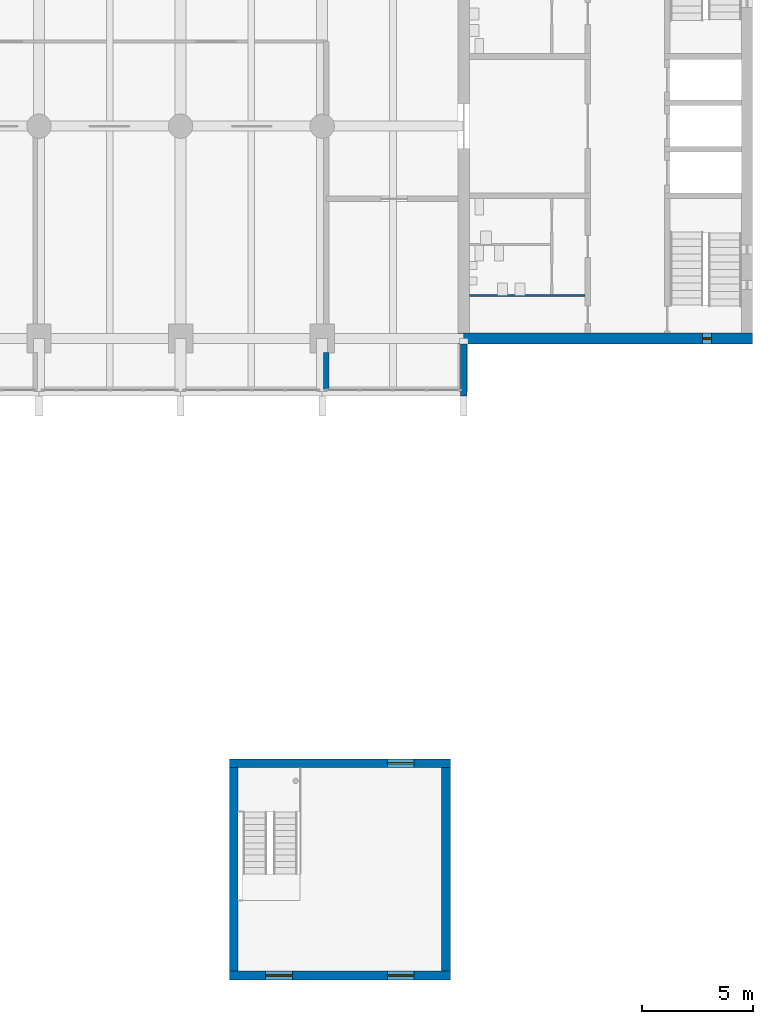
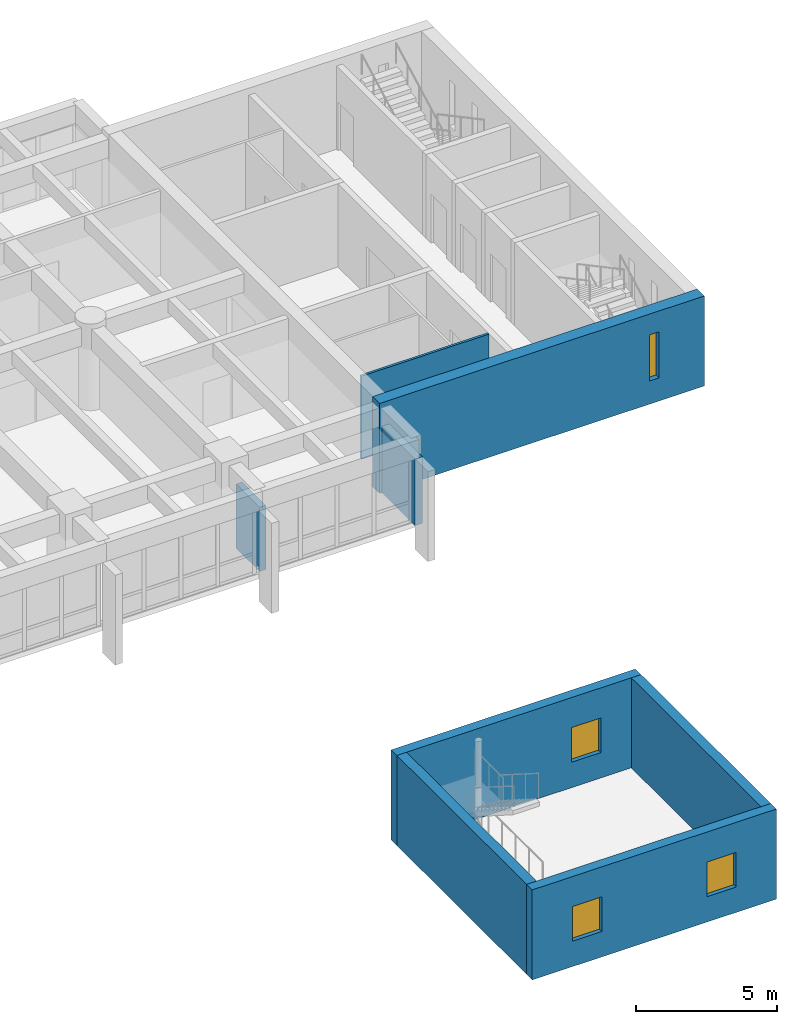
# One storey, part 10 of 19: 8 walls, 4 windows, 4 openings.
"""IFC4 building model written with IfcOpenShell, lengths in metres."""

from ifc_helpers import new_model, si_unit, direction, frame, frame_2d, origin, place, context, subcontext, project, spatial, rectangle, extrude, material, layer, layer_set, type_object, element, fill, save


model = new_model("IFC4")

# Units and contexts
model_context = context("Model", 3, precision=1e-05, world=origin(), true_north=direction((0.0, 1.0)))
body_context = subcontext(model_context, "Body", "Model", "MODEL_VIEW")
ifc_project = project(units=[si_unit("LENGTHUNIT", "METRE"), si_unit("AREAUNIT", "SQUARE_METRE"), si_unit("VOLUMEUNIT", "CUBIC_METRE"), si_unit("PLANEANGLEUNIT", "RADIAN"), si_unit("MASSUNIT", "GRAM", prefix="KILO")], contexts=[model_context])

# Site, building, storey
site_placement = place(None, origin())
site = spatial("IfcSite", under=ifc_project, at=site_placement, CompositionType="ELEMENT")
building_placement = place(site_placement, origin())
building = spatial("IfcBuilding", under=site, at=building_placement, Name="Fogon Plaza Fire Station and Headquarters Tower", CompositionType="ELEMENT")
storey_placement = place(building_placement, frame((0.0, 0.0, 17.10009765625)))
storey = spatial("IfcBuildingStorey", under=building, at=storey_placement, Name="L04", CompositionType="ELEMENT", Elevation=17.10009765625)

# Walls
ifc_material_1 = material(Name="Concrete C40", Category="concrete")
ifc_layer_1 = layer(ifc_material_1, 0.300048828125)
ifc_layer_set_1 = layer_set([ifc_layer_1], Name="Concrete C40")
wall_type_1 = type_object("IfcWallType", Name="Fair-faced RC Return Panel 300", PredefinedType="SOLIDWALL", material=ifc_layer_set_1)
wall_1_placement = place(storey_placement, frame((64.0, 31.0, 0.0), z_axis=(0.0, 0.0, 1.0), x_axis=(0.0, 1.0, 0.0)))
element("IfcWall", 1, at=wall_1_placement, inside=storey, type_object=wall_type_1, Name="Bar end return ES L04", PredefinedType="SOLIDWALL", context=body_context, shape_type="SweptSolid", body=[
    extrude(rectangle(XDim=2.35009765625, YDim=0.300048828125, at=frame_2d((1.175048828125, 0.0))), origin(), (0.0, 0.0, 1.0), 2.8798828125),
])
ifc_material_2 = material(Name="Blockwork", Category="masonry")
ifc_layer_2 = layer(ifc_material_2, 0.10009765625)
ifc_layer_set_2 = layer_set([ifc_layer_2], Name="Blockwork")
wall_type_2 = type_object("IfcWallType", Name="Partition Blockwork 100", PredefinedType="PARTITIONING", material=ifc_layer_set_2)
wall_2_placement = place(storey_placement, frame((69.47509765625, 35.550048828125, 0.0), z_axis=(0.0, 0.0, 1.0), x_axis=(-1.0, 0.0, 0.0)))
element("IfcWall", 2, at=wall_2_placement, inside=storey, type_object=wall_type_2, Name="Cleaner's store partition", PredefinedType="PARTITIONING", context=body_context, shape_type="SweptSolid", body=[
    extrude(rectangle(XDim=5.22509765625, YDim=0.10009765625, at=frame_2d((2.612548828125, 0.0))), origin(), (0.0, 0.0, 1.0), 3.599853515625),
])

# Wall, opening, window
ifc_material_3 = material(Name="Concrete C40", Category="concrete")
ifc_layer_3 = layer(ifc_material_3, 0.39990234375)
ifc_layer_set_3 = layer_set([ifc_layer_3], Name="Concrete C40")
wall_type_3 = type_object("IfcWallType", Name="Shear wall 400 DW40", PredefinedType="SHEAR", material=ifc_layer_set_3)
wall_3_placement = place(storey_placement, frame((53.39990234375, 14.39990234375, 0.0), z_axis=(0.0, 0.0, 1.0), x_axis=(1.0, 0.0, 0.0)))
wall_3 = element("IfcWall", 3, at=wall_3_placement, inside=storey, type_object=wall_type_3, Name="wall-drill-N-L04", PredefinedType="SHEAR", context=body_context, shape_type="SweptSolid", body=[
    extrude(rectangle(XDim=10.0, YDim=0.39990234375, at=frame_2d((5.0, 0.0))), origin(), (0.0, 0.0, 1.0), 3.89990234375),
])
opening_1_placement = place(wall_3_placement, frame((7.14990234375, 0.0, 1.10009765625)))
opening_1 = element("IfcOpeningElement", 4, at=opening_1_placement, cuts=wall_3, Name="Opening WT1", PredefinedType="OPENING", context=body_context, shape_type="SweptSolid", body=[
    extrude(rectangle(XDim=1.199951171875, YDim=1.5, at=frame_2d((0.60009765625, 0.75))), frame((0.0, 0.2099609375, 0.0), z_axis=(0.0, -1.0, 0.0), x_axis=(1.0, 0.0, 0.0)), (0.0, 0.0, 1.0), 0.419921875),
])
ifc_material_4 = material(Name="Galvanised steel framed glazing with grille", Category="steel")
window_type_1 = type_object("IfcWindowType", Name="Training Opening WT1 1200x1500", PartitioningType="SINGLE_PANEL", PredefinedType="WINDOW", material=ifc_material_4)
window_1_placement = place(opening_1_placement, origin())
window_1 = element("IfcWindow", 5, at=window_1_placement, inside=storey, type_object=window_type_1, Name="Training opening N L04", OverallHeight=1.5, OverallWidth=1.199951171875, PartitioningType="SINGLE_PANEL", PredefinedType="WINDOW", context=body_context, shape_type="SweptSolid", body=[
    extrude(rectangle(XDim=1.199951171875, YDim=1.5, at=frame_2d((0.60009765625, 0.75))), frame((0.0, 0.030029296875, 0.0), z_axis=(0.0, -1.0, 0.0), x_axis=(1.0, 0.0, 0.0)), (0.0, 0.0, 1.0), 0.06005859375),
])
fill(opening_1, window_1)

# Wall, openings, windows
wall_4_placement = place(storey_placement, frame((53.39990234375, 4.800048828125, 0.0), z_axis=(0.0, 0.0, 1.0), x_axis=(1.0, 0.0, 0.0)))
wall_4 = element("IfcWall", 6, at=wall_4_placement, inside=storey, type_object=wall_type_3, Name="wall-drill-S-L04", PredefinedType="SHEAR", context=body_context, shape_type="SweptSolid", body=[
    extrude(rectangle(XDim=10.0, YDim=0.39990234375, at=frame_2d((5.0, 0.0))), origin(), (0.0, 0.0, 1.0), 3.89990234375),
])
opening_2_placement = place(wall_4_placement, frame((1.64990234375, 0.0, 1.10009765625)))
opening_2 = element("IfcOpeningElement", 7, at=opening_2_placement, cuts=wall_4, Name="Opening WT1", PredefinedType="OPENING", context=body_context, shape_type="SweptSolid", body=[
    extrude(rectangle(XDim=1.199951171875, YDim=1.5, at=frame_2d((0.60009765625, 0.75))), frame((0.0, 0.2099609375, 0.0), z_axis=(0.0, -1.0, 0.0), x_axis=(1.0, 0.0, 0.0)), (0.0, 0.0, 1.0), 0.419921875),
])
opening_3_placement = place(wall_4_placement, frame((7.14990234375, 0.0, 1.10009765625)))
opening_3 = element("IfcOpeningElement", 8, at=opening_3_placement, cuts=wall_4, Name="Opening WT1", PredefinedType="OPENING", context=body_context, shape_type="SweptSolid", body=[
    extrude(rectangle(XDim=1.199951171875, YDim=1.5, at=frame_2d((0.60009765625, 0.75))), frame((0.0, 0.2099609375, 0.0), z_axis=(0.0, -1.0, 0.0), x_axis=(1.0, 0.0, 0.0)), (0.0, 0.0, 1.0), 0.419921875),
])
window_2_placement = place(opening_2_placement, origin())
window_2 = element("IfcWindow", 9, at=window_2_placement, inside=storey, type_object=window_type_1, Name="Training opening S L04", OverallHeight=1.5, OverallWidth=1.199951171875, PartitioningType="SINGLE_PANEL", PredefinedType="WINDOW", context=body_context, shape_type="SweptSolid", body=[
    extrude(rectangle(XDim=1.199951171875, YDim=1.5, at=frame_2d((0.60009765625, 0.75))), frame((0.0, 0.030029296875, 0.0), z_axis=(0.0, -1.0, 0.0), x_axis=(1.0, 0.0, 0.0)), (0.0, 0.0, 1.0), 0.06005859375),
])
fill(opening_2, window_2)
window_3_placement = place(opening_3_placement, origin())
window_3 = element("IfcWindow", 10, at=window_3_placement, inside=storey, type_object=window_type_1, Name="Training opening S L04", OverallHeight=1.5, OverallWidth=1.199951171875, PartitioningType="SINGLE_PANEL", PredefinedType="WINDOW", context=body_context, shape_type="SweptSolid", body=[
    extrude(rectangle(XDim=1.199951171875, YDim=1.5, at=frame_2d((0.60009765625, 0.75))), frame((0.0, 0.030029296875, 0.0), z_axis=(0.0, -1.0, 0.0), x_axis=(1.0, 0.0, 0.0)), (0.0, 0.0, 1.0), 0.06005859375),
])
fill(opening_3, window_3)

# Walls
for number, where, z_axis, x_axis, name in (
    (11, (63.199951171875, 5.0, 0.0), (0.0, 0.0, 1.0), (0.0, 1.0, 0.0), "wall-drill-E-L04"),
    (12, (53.60009765625, 5.0, 0.0), (0.0, 0.0, 1.0), (0.0, 1.0, 0.0), "wall-drill-W-L04"),
):
    element("IfcWall", number, at=place(storey_placement, frame(where, z_axis=z_axis, x_axis=x_axis)), inside=storey, type_object=wall_type_3, Name=name, PredefinedType="SHEAR", context=body_context, shape_type="SweptSolid", body=[
        extrude(rectangle(XDim=9.199951171875, YDim=0.39990234375, at=frame_2d((4.60009765625, 0.0))), origin(), (0.0, 0.0, 1.0), 3.89990234375),
    ])

# Wall, opening, window
ifc_material_5 = material(Name="Concrete C40", Category="concrete")
ifc_layer_4 = layer(ifc_material_5, 0.5)
ifc_layer_set_4 = layer_set([ifc_layer_4], Name="Concrete C40")
wall_type_4 = type_object("IfcWallType", Name="Shear wall 500 SW50", PredefinedType="SHEAR", material=ifc_layer_set_4)
wall_5_placement = place(storey_placement, frame((63.75, 33.60009765625, 0.0), z_axis=(0.0, 0.0, 1.0), x_axis=(1.0, 0.0, 0.0)))
wall_5 = element("IfcWall", 13, at=wall_5_placement, inside=storey, type_object=wall_type_4, Name="wall-coreB-S-L04", PredefinedType="SHEAR", context=body_context, shape_type="SweptSolid", body=[
    extrude(rectangle(XDim=13.300048828125, YDim=0.5, at=frame_2d((6.64990234375, 0.0))), origin(), (0.0, 0.0, 1.0), 3.89990234375),
])
opening_4_placement = place(wall_5_placement, frame((11.050048828125, 0.0, 1.0)))
opening_4 = element("IfcOpeningElement", 14, at=opening_4_placement, cuts=wall_5, Name="Opening WS1", PredefinedType="OPENING", context=body_context, shape_type="SweptSolid", body=[
    extrude(rectangle(XDim=0.39990234375, YDim=2.0, at=frame_2d((0.199951171875, 1.0))), frame((0.0, 0.260009765625, 0.0), z_axis=(0.0, -1.0, 0.0), x_axis=(1.0, 0.0, 0.0)), (0.0, 0.0, 1.0), 0.52001953125),
])
ifc_material_6 = material(Name="Aluminium framed double glazing", Category="aluminium")
window_type_2 = type_object("IfcWindowType", Name="Slit Window WS1 400x2000", PartitioningType="SINGLE_PANEL", PredefinedType="WINDOW", material=ifc_material_6)
window_4_placement = place(opening_4_placement, origin())
window_4 = element("IfcWindow", 15, at=window_4_placement, inside=storey, type_object=window_type_2, Name="Slit window B5 L04", OverallHeight=2.0, OverallWidth=0.39990234375, PartitioningType="SINGLE_PANEL", PredefinedType="WINDOW", context=body_context, shape_type="SweptSolid", body=[
    extrude(rectangle(XDim=0.39990234375, YDim=2.0, at=frame_2d((0.199951171875, 1.0))), frame((0.0, 0.030029296875, 0.0), z_axis=(0.0, -1.0, 0.0), x_axis=(1.0, 0.0, 0.0)), (0.0, 0.0, 1.0), 0.06005859375),
])
fill(opening_4, window_4)

# Wall
ifc_material_7 = material(Name="Concrete block masonry", Category="masonry")
ifc_layer_5 = layer(ifc_material_7, 0.25)
ifc_layer_set_5 = layer_set([ifc_layer_5], Name="Concrete block masonry")
wall_type_5 = type_object("IfcWallType", Name="Tower plant wall 250 EI 120 Beam Head 900", PredefinedType="PARTITIONING", material=ifc_layer_set_5)
wall_6_placement = place(storey_placement, frame((57.780029296875, 31.300048828125, 0.0), z_axis=(0.0, 0.0, 1.0), x_axis=(0.0, 1.0, 0.0)))
element("IfcWall", 16, at=wall_6_placement, inside=storey, type_object=wall_type_5, Name="part-L04-23", PredefinedType="PARTITIONING", context=body_context, shape_type="SweptSolid", body=[
    extrude(rectangle(XDim=1.669921875, YDim=0.25, at=frame_2d((0.8349609375, 0.0))), origin(), (0.0, 0.0, 1.0), 2.77978515625),
])

save(model, "model.ifc")
